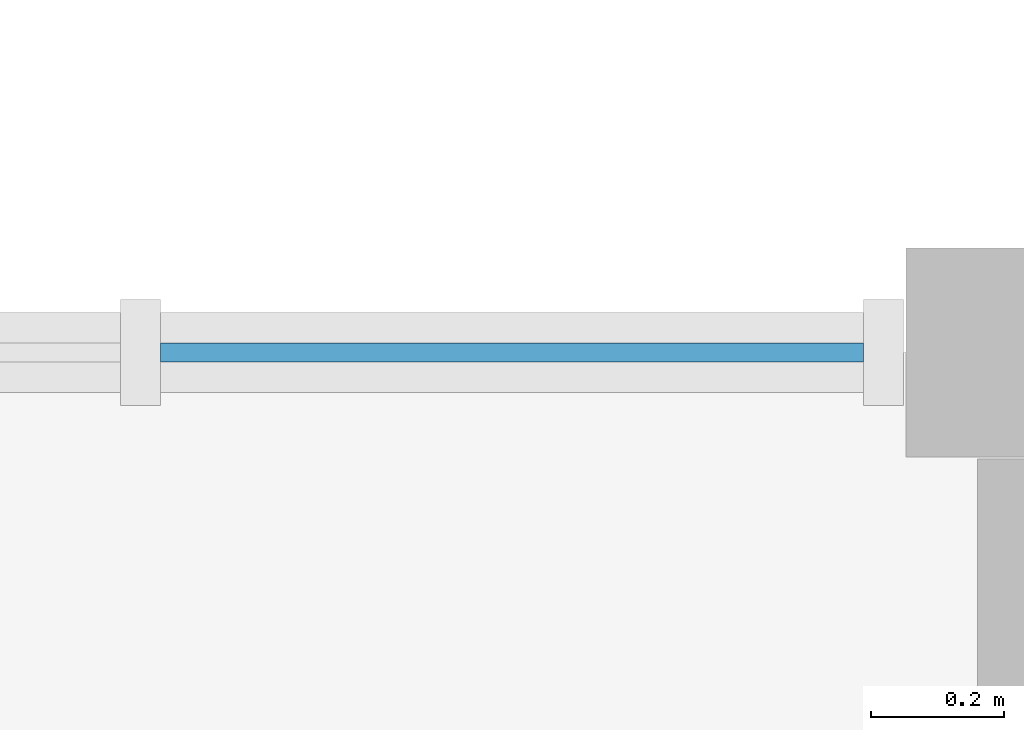
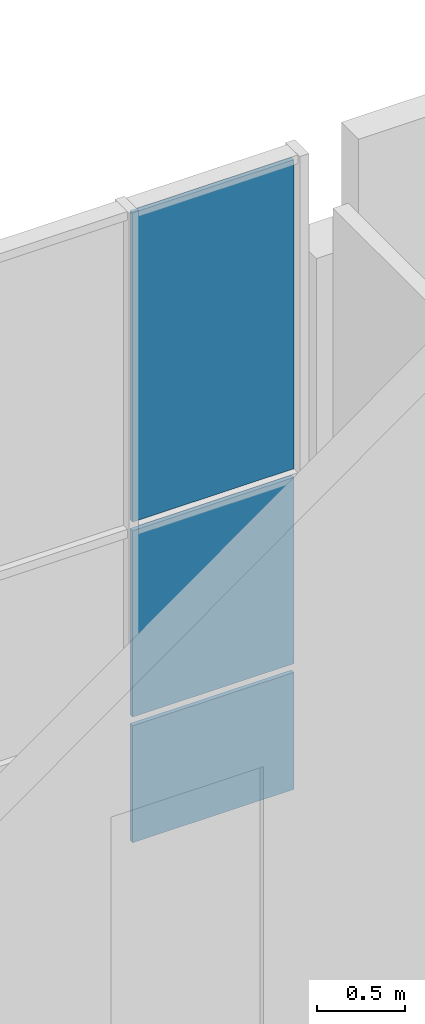
# One storey, part 4 of 8: 3 plates, 1 element without a shape of its own.
"""IFC4 building model written with IfcOpenShell, lengths in metres."""

from ifc_helpers import new_model, si_unit, direction, frame, origin, origin_2d, place, context, subcontext, project, spatial, rectangle, extrude, material, layer, layer_set, type_object, element, aggregate, save


model = new_model("IFC4")

# Units and contexts
model_context = context("Model", 3, precision=1e-05, world=origin(), true_north=direction((0.0, 1.0)))
body_context = subcontext(model_context, "Body", "Model", "MODEL_VIEW")
ifc_project = project(units=[si_unit("LENGTHUNIT", "METRE"), si_unit("AREAUNIT", "SQUARE_METRE"), si_unit("VOLUMEUNIT", "CUBIC_METRE"), si_unit("PLANEANGLEUNIT", "RADIAN"), si_unit("MASSUNIT", "GRAM", prefix="KILO")], contexts=[model_context])

# Site, building, storey
site_placement = place(None, origin())
site = spatial("IfcSite", under=ifc_project, at=site_placement, CompositionType="ELEMENT")
building_placement = place(site_placement, origin())
building = spatial("IfcBuilding", under=site, at=building_placement, Name="Marnridge Secondary College", CompositionType="ELEMENT")
storey_placement = place(building_placement, frame((0.0, 0.0, 19.89990234375)))
storey = spatial("IfcBuildingStorey", under=building, at=storey_placement, Name="L05", CompositionType="ELEMENT", Elevation=19.89990234375)

# Curtain wall, plates
ifc_material_1 = material(Name="Thermally broken aluminium and low-E glazing", Category="aluminium")
ifc_layer_1 = layer(ifc_material_1, 0.159912109375)
ifc_layer_set_1 = layer_set([ifc_layer_1], Name="CW-MOD-1500")
curtain_wall_type = type_object("IfcCurtainWallType", Name="CW-MOD-1500", PredefinedType="NOTDEFINED", material=ifc_layer_set_1)
curtain_wall_placement = place(storey_placement, origin())
curtain_wall = element("IfcCurtainWall", 1, at=curtain_wall_placement, inside=storey, type_object=curtain_wall_type, Name="Unitised curtain wall CW-L05-152", PredefinedType="NOTDEFINED")
ifc_material_2 = material(Name="Double-glazed low-E argon unit", Category="glass")
ifc_layer_2 = layer(ifc_material_2, 0.028076171875)
ifc_layer_set_2 = layer_set([ifc_layer_2], Name="CWP-GLZ28")
plate_type = type_object("IfcPlateType", Name="CWP-GLZ28", PredefinedType="CURTAIN_PANEL", material=ifc_layer_set_2)
plate_1_placement = place(storey_placement, frame((71.25, 67.5, 0.06005859375), z_axis=(0.0, 0.0, 1.0), x_axis=(1.0, 0.0, 0.0)))
plate_1 = element("IfcPlate", 2, at=plate_1_placement, type_object=plate_type, Name="CW-L05-152 panel 6.1", PredefinedType="CURTAIN_PANEL", context=body_context, shape_type="SweptSolid", body=[
    extrude(rectangle(XDim=1.056884765625, YDim=0.028076171875, at=origin_2d()), origin(), (0.0, 0.0, 1.0), 0.81005859375),
])
plate_2_placement = place(storey_placement, frame((71.25, 67.5, 0.93017578125), z_axis=(0.0, 0.0, 1.0), x_axis=(1.0, 0.0, 0.0)))
plate_2 = element("IfcPlate", 3, at=plate_2_placement, type_object=plate_type, Name="CW-L05-152 panel 6.2", PredefinedType="CURTAIN_PANEL", context=body_context, shape_type="SweptSolid", body=[
    extrude(rectangle(XDim=1.056884765625, YDim=0.028076171875, at=origin_2d()), origin(), (0.0, 0.0, 1.0), 1.2900390625),
])
plate_3_placement = place(storey_placement, frame((71.25, 67.5, 2.2802734375), z_axis=(0.0, 0.0, 1.0), x_axis=(1.0, 0.0, 0.0)))
plate_3 = element("IfcPlate", 4, at=plate_3_placement, type_object=plate_type, Name="CW-L05-152 panel 6.3", PredefinedType="CURTAIN_PANEL", context=body_context, shape_type="SweptSolid", body=[
    extrude(rectangle(XDim=1.056884765625, YDim=0.028076171875, at=origin_2d()), origin(), (0.0, 0.0, 1.0), 2.140380859375),
])
aggregate(curtain_wall, [plate_1, plate_2, plate_3])

save(model, "model.ifc")
